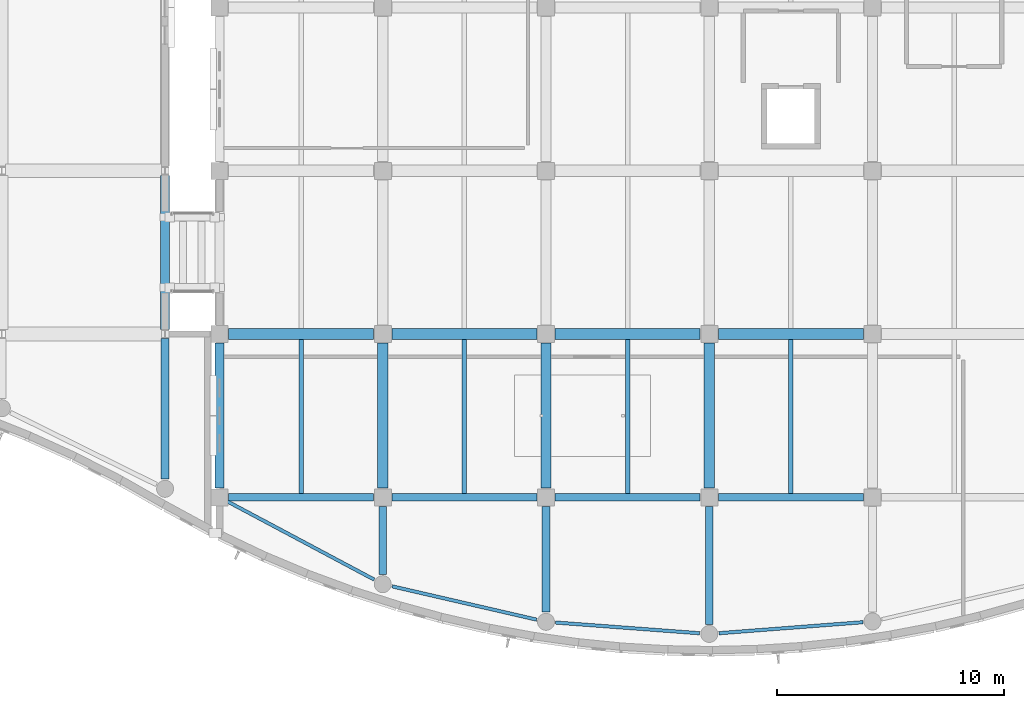
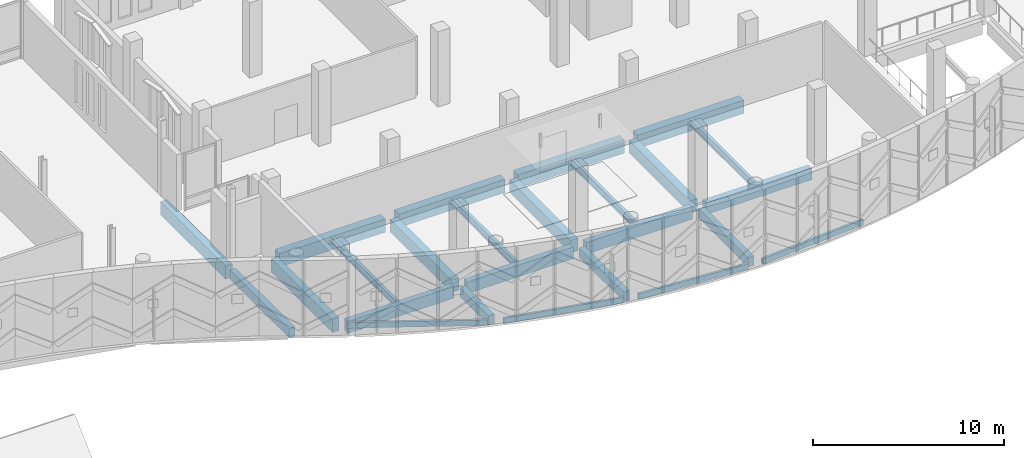
# One storey, part 59 of 193: 25 beams.
"""IFC4 building model written with IfcOpenShell, lengths in metres."""

from ifc_helpers import new_model, si_unit, direction, frame, origin, origin_2d, place, context, subcontext, project, spatial, rectangle, hollow_rectangle, i_section, extrude, material, material_profile, profile_set, type_object, element, save


model = new_model("IFC4")

# Units and contexts
model_context = context("Model", 3, precision=1e-05, world=origin(), true_north=direction((0.0, 1.0)))
body_context = subcontext(model_context, "Body", "Model", "MODEL_VIEW")
ifc_project = project(units=[si_unit("LENGTHUNIT", "METRE"), si_unit("AREAUNIT", "SQUARE_METRE"), si_unit("VOLUMEUNIT", "CUBIC_METRE"), si_unit("PLANEANGLEUNIT", "RADIAN"), si_unit("MASSUNIT", "GRAM", prefix="KILO")], contexts=[model_context])

# Site, building, storey
site_placement = place(None, origin())
site = spatial("IfcSite", under=ifc_project, at=site_placement, CompositionType="ELEMENT")
building_placement = place(site_placement, origin())
building = spatial("IfcBuilding", under=site, at=building_placement, Name="Cendralis Lancet Convention Centre", CompositionType="ELEMENT")
storey_placement = place(building_placement, frame((0.0, 0.0, 10.199951171875)))
storey = spatial("IfcBuildingStorey", under=building, at=storey_placement, Name="L02", CompositionType="ELEMENT", Elevation=10.199951171875)

# Beams
ifc_material_1 = material(Name="Concrete G35 (C35/45)", Category="concrete")
ifc_material_profile_1 = material_profile(ifc_material_1, rectangle(XDim=0.5, YDim=0.85009765625, at=origin_2d()), Name="RCB 500x850")
ifc_profile_set_1 = profile_set([ifc_material_profile_1], Name="Concrete G35 (C35/45)")
beam_type_1 = type_object("IfcBeamType", Name="STR-BM-BG08", PredefinedType="BEAM", material=ifc_profile_set_1)
beam_1_placement = place(storey_placement, frame((132.39990234375, 14.39990234375, -0.724853515625), z_axis=(1.0, 0.0, 0.0), x_axis=(0.0, 1.0, 0.0)))
element("IfcBeam", 1, at=beam_1_placement, inside=storey, type_object=beam_type_1, Name="L02 Beam BG08 #0263", PredefinedType="BEAM", context=body_context, shape_type="SweptSolid", body=[
    extrude(rectangle(XDim=0.5, YDim=0.85009765625, at=origin_2d()), origin(), (0.0, 0.0, 1.0), 6.400146484375),
])
for number, where, z_axis, x_axis, name in (
    (2, (139.60009765625, 14.39990234375, -0.724853515625), (1.0, 0.0, 0.0), (0.0, 1.0, 0.0), "L02 Beam BG08 #0264"),
    (3, (146.800048828125, 14.39990234375, -0.724853515625), (1.0, 0.0, 0.0), (0.0, 1.0, 0.0), "L02 Beam BG08 #0265"),
    (4, (154.0, 14.39990234375, -0.724853515625), (1.0, 0.0, 0.0), (0.0, 1.0, 0.0), "L02 Beam BG08 #0266"),
):
    element("IfcBeam", number, at=place(storey_placement, frame(where, z_axis=z_axis, x_axis=x_axis)), inside=storey, type_object=beam_type_1, Name=name, PredefinedType="BEAM", context=body_context, shape_type="SweptSolid", body=[
        extrude(rectangle(XDim=0.5, YDim=0.85009765625, at=origin_2d()), origin(), (0.0, 0.0, 1.0), 6.39990234375),
    ])
ifc_material_profile_2 = material_profile(ifc_material_1, rectangle(XDim=0.449951171875, YDim=0.800048828125, at=origin_2d()), Name="RCB 450x800")
ifc_profile_set_2 = profile_set([ifc_material_profile_2], Name="Concrete G35 (C35/45)")
beam_type_2 = type_object("IfcBeamType", Name="STR-BM-BG10", PredefinedType="BEAM", material=ifc_profile_set_2)
for number, where, z_axis, x_axis, name in (
    (5, (139.199951171875, 7.60009765625, -0.699951171875), (0.0, 1.0, 0.0), (-1.0, 0.0, 0.0), "L02 Beam BG10 #0307"),
    (6, (146.39990234375, 7.60009765625, -0.699951171875), (0.0, 1.0, 0.0), (-1.0, 0.0, 0.0), "L02 Beam BG10 #0311"),
    (7, (153.60009765625, 7.60009765625, -0.699951171875), (0.0, 1.0, 0.0), (-1.0, 0.0, 0.0), "L02 Beam BG10 #0315"),
):
    element("IfcBeam", number, at=place(storey_placement, frame(where, z_axis=z_axis, x_axis=x_axis)), inside=storey, type_object=beam_type_2, Name=name, PredefinedType="BEAM", context=body_context, shape_type="SweptSolid", body=[
        extrude(rectangle(XDim=0.449951171875, YDim=0.800048828125, at=origin_2d()), origin(), (0.0, 0.0, 1.0), 6.39990234375),
    ])
ifc_material_profile_3 = material_profile(ifc_material_1, rectangle(XDim=0.35009765625, YDim=0.60009765625, at=origin_2d()), Name="RCB 350x600")
ifc_profile_set_3 = profile_set([ifc_material_profile_3], Name="Concrete G35 (C35/45)")
beam_type_3 = type_object("IfcBeamType", Name="STR-BM-BG16", PredefinedType="BEAM", material=ifc_profile_set_3)
beam_2_placement = place(storey_placement, frame((129.60009765625, 7.997802734375, -0.599853515625), z_axis=(0.0, 1.0, 0.0), x_axis=(-1.0, 0.0, 0.0)))
element("IfcBeam", 8, at=beam_2_placement, inside=storey, type_object=beam_type_3, Name="L02 Beam BG16 #1079", PredefinedType="BEAM", context=body_context, shape_type="SweptSolid", body=[
    extrude(rectangle(XDim=0.35009765625, YDim=0.60009765625, at=origin_2d()), origin(), (0.0, 0.0, 1.0), 6.2021484375),
])
beam_3_placement = place(storey_placement, frame((139.199951171875, 3.790771484375, -0.599853515625), z_axis=(0.0, 1.0, 0.0), x_axis=(-1.0, 0.0, 0.0)))
element("IfcBeam", 9, at=beam_3_placement, inside=storey, type_object=beam_type_3, Name="L02 Beam BG16 #1080", PredefinedType="BEAM", context=body_context, shape_type="SweptSolid", body=[
    extrude(rectangle(XDim=0.35009765625, YDim=0.60009765625, at=origin_2d()), origin(), (0.0, 0.0, 1.0), 3.00927734375),
])
beam_4_placement = place(storey_placement, frame((146.39990234375, 2.130615234375, -0.599853515625), z_axis=(0.0, 1.0, 0.0), x_axis=(-1.0, 0.0, 0.0)))
element("IfcBeam", 10, at=beam_4_placement, inside=storey, type_object=beam_type_3, Name="L02 Beam BG16 #1081", PredefinedType="BEAM", context=body_context, shape_type="SweptSolid", body=[
    extrude(rectangle(XDim=0.35009765625, YDim=0.60009765625, at=origin_2d()), origin(), (0.0, 0.0, 1.0), 4.66943359375),
])
beam_5_placement = place(storey_placement, frame((153.60009765625, 1.594970703125, -0.599853515625), z_axis=(0.0, 1.0, 0.0), x_axis=(-1.0, 0.0, 0.0)))
element("IfcBeam", 11, at=beam_5_placement, inside=storey, type_object=beam_type_3, Name="L02 Beam BG16 #1082", PredefinedType="BEAM", context=body_context, shape_type="SweptSolid", body=[
    extrude(rectangle(XDim=0.35009765625, YDim=0.60009765625, at=origin_2d()), origin(), (0.0, 0.0, 1.0), 5.205078125),
])
ifc_material_2 = material(Name="Steel S355", Category="steel")
ifc_material_profile_4 = material_profile(ifc_material_2, i_section(OverallWidth=0.18994140625, OverallDepth=0.449951171875, WebThickness=0.009521484375, FlangeThickness=0.0146484375, FilletRadius=0.02099609375, at=origin_2d()), Name="IPE 450")
ifc_profile_set_4 = profile_set([ifc_material_profile_4], Name="Steel S355")
beam_type_4 = type_object("IfcBeamType", Name="STR-JS-BJ07", PredefinedType="JOIST", material=ifc_profile_set_4)
for number, where, z_axis, x_axis, name in (
    (12, (135.60009765625, 7.375, -0.52490234375), (0.0, 1.0, 0.0), (-1.0, 0.0, 0.0), "L02 Beam BJ07 #0345"),
    (13, (142.800048828125, 7.375, -0.52490234375), (0.0, 1.0, 0.0), (-1.0, 0.0, 0.0), "L02 Beam BJ07 #0349"),
    (14, (150.0, 7.375, -0.52490234375), (0.0, 1.0, 0.0), (-1.0, 0.0, 0.0), "L02 Beam BJ07 #0353"),
    (15, (157.199951171875, 7.375, -0.52490234375), (0.0, 1.0, 0.0), (-1.0, 0.0, 0.0), "L02 Beam BJ07 #0356"),
):
    element("IfcBeam", number, at=place(storey_placement, frame(where, z_axis=z_axis, x_axis=x_axis)), inside=storey, type_object=beam_type_4, Name=name, PredefinedType="JOIST", context=body_context, shape_type="SweptSolid", body=[
        extrude(i_section(OverallWidth=0.18994140625, OverallDepth=0.449951171875, WebThickness=0.009521484375, FlangeThickness=0.0146484375, FilletRadius=0.02099609375, at=origin_2d()), origin(), (0.0, 0.0, 1.0), 6.77490234375),
    ])
ifc_material_3 = material(Name="Concrete G40 (C40/50)", Category="concrete")
ifc_material_profile_5 = material_profile(ifc_material_3, rectangle(XDim=0.35009765625, YDim=0.75, at=origin_2d()), Name="RCB 350x750")
ifc_profile_set_5 = profile_set([ifc_material_profile_5], Name="Concrete G40 (C40/50)")
beam_type_5 = type_object("IfcBeamType", Name="STR-SP-SP01", PredefinedType="SPANDREL", material=ifc_profile_set_5)
beam_6_placement = place(storey_placement, frame((132.39990234375, 7.199951171875, -0.675048828125), z_axis=(1.0, 0.0, 0.0), x_axis=(0.0, 1.0, 0.0)))
element("IfcBeam", 16, at=beam_6_placement, inside=storey, type_object=beam_type_5, Name="L02 Beam SP01 #0253", PredefinedType="SPANDREL", context=body_context, shape_type="SweptSolid", body=[
    extrude(rectangle(XDim=0.35009765625, YDim=0.75, at=origin_2d()), origin(), (0.0, 0.0, 1.0), 6.400146484375),
])
for number, where, z_axis, x_axis, name in (
    (17, (139.60009765625, 7.199951171875, -0.675048828125), (1.0, 0.0, 0.0), (0.0, 1.0, 0.0), "L02 Beam SP01 #0254"),
    (18, (146.800048828125, 7.199951171875, -0.675048828125), (1.0, 0.0, 0.0), (0.0, 1.0, 0.0), "L02 Beam SP01 #0255"),
    (19, (154.0, 7.199951171875, -0.675048828125), (1.0, 0.0, 0.0), (0.0, 1.0, 0.0), "L02 Beam SP01 #0256"),
):
    element("IfcBeam", number, at=place(storey_placement, frame(where, z_axis=z_axis, x_axis=x_axis)), inside=storey, type_object=beam_type_5, Name=name, PredefinedType="SPANDREL", context=body_context, shape_type="SweptSolid", body=[
        extrude(rectangle(XDim=0.35009765625, YDim=0.75, at=origin_2d()), origin(), (0.0, 0.0, 1.0), 6.39990234375),
    ])
ifc_material_profile_6 = material_profile(ifc_material_3, rectangle(XDim=0.39990234375, YDim=0.85009765625, at=origin_2d()), Name="RCB 400x850")
ifc_profile_set_6 = profile_set([ifc_material_profile_6], Name="Concrete G40 (C40/50)")
beam_type_6 = type_object("IfcBeamType", Name="STR-SP-SP02", PredefinedType="SPANDREL", material=ifc_profile_set_6)
beam_7_placement = place(storey_placement, frame((132.0, 7.60009765625, -0.724853515625), z_axis=(0.0, 1.0, 0.0), x_axis=(-1.0, 0.0, 0.0)))
element("IfcBeam", 20, at=beam_7_placement, inside=storey, type_object=beam_type_6, Name="L02 Beam SP02 #0303", PredefinedType="SPANDREL", context=body_context, shape_type="SweptSolid", body=[
    extrude(rectangle(XDim=0.39990234375, YDim=0.85009765625, at=origin_2d()), origin(), (0.0, 0.0, 1.0), 6.39990234375),
])
beam_8_placement = place(storey_placement, frame((129.60009765625, 14.60009765625, -0.724853515625), z_axis=(0.0, 1.0, 0.0), x_axis=(-1.0, 0.0, 0.0)))
element("IfcBeam", 21, at=beam_8_placement, inside=storey, type_object=beam_type_6, Name="L02 Beam SP02 #0877", PredefinedType="SPANDREL", context=body_context, shape_type="SweptSolid", body=[
    extrude(rectangle(XDim=0.39990234375, YDim=0.85009765625, at=origin_2d()), origin(), (0.0, 0.0, 1.0), 6.7998046875),
])
ifc_material_profile_7 = material_profile(ifc_material_2, hollow_rectangle(XDim=0.14990234375, YDim=0.35009765625, WallThickness=0.012451171875, at=origin_2d()), Name="RHS 350x150x12.5")
ifc_profile_set_7 = profile_set([ifc_material_profile_7], Name="Steel S355")
beam_type_7 = type_object("IfcBeamType", Name="STR-SP-SP04", PredefinedType="SPANDREL", material=ifc_profile_set_7)
beam_9_placement = place(storey_placement, frame((132.35302734375, 7.011962890625, -0.474853515625), z_axis=(0.882644946815, -0.470040315145, 0.0), x_axis=(0.470040315145, 0.882644946815, 0.0)))
element("IfcBeam", 22, at=beam_9_placement, inside=storey, type_object=beam_type_7, Name="L02 Beam SP04 #1094", PredefinedType="SPANDREL", context=body_context, shape_type="SweptSolid", body=[
    extrude(hollow_rectangle(XDim=0.14990234375, YDim=0.35009765625, WallThickness=0.012451171875, at=origin_2d()), origin(), (0.0, 0.0, 1.0), 7.33251953125),
])
beam_10_placement = place(storey_placement, frame((139.614013671875, 3.270263671875, -0.474853515625), z_axis=(0.974438997628, -0.224652264406, 0.0), x_axis=(0.224652264406, 0.974438997628, 0.0)))
element("IfcBeam", 23, at=beam_10_placement, inside=storey, type_object=beam_type_7, Name="L02 Beam SP04 #1095", PredefinedType="SPANDREL", context=body_context, shape_type="SweptSolid", body=[
    extrude(hollow_rectangle(XDim=0.14990234375, YDim=0.35009765625, WallThickness=0.012451171875, at=origin_2d()), origin(), (0.0, 0.0, 1.0), 6.5390625),
])
beam_11_placement = place(storey_placement, frame((146.82373046875, 1.67431640625, -0.474853515625), z_axis=(0.997240603076, -0.074237319299, 0.0), x_axis=(0.074237319299, 0.997240603076, 0.0)))
element("IfcBeam", 24, at=beam_11_placement, inside=storey, type_object=beam_type_7, Name="L02 Beam SP04 #1096", PredefinedType="SPANDREL", context=body_context, shape_type="SweptSolid", body=[
    extrude(hollow_rectangle(XDim=0.14990234375, YDim=0.35009765625, WallThickness=0.012451171875, at=origin_2d()), origin(), (0.0, 0.0, 1.0), 6.3701171875),
])
beam_12_placement = place(storey_placement, frame((154.023681640625, 1.202392578125, -0.474853515625), z_axis=(0.997091113381, 0.076218840297, 0.0), x_axis=(-0.076218840297, 0.997091113381, 0.0)))
element("IfcBeam", 25, at=beam_12_placement, inside=storey, type_object=beam_type_7, Name="L02 Beam SP04 #1097", PredefinedType="SPANDREL", context=body_context, shape_type="SweptSolid", body=[
    extrude(hollow_rectangle(XDim=0.14990234375, YDim=0.35009765625, WallThickness=0.012451171875, at=origin_2d()), origin(), (0.0, 0.0, 1.0), 6.37109375),
])

save(model, "model.ifc")
